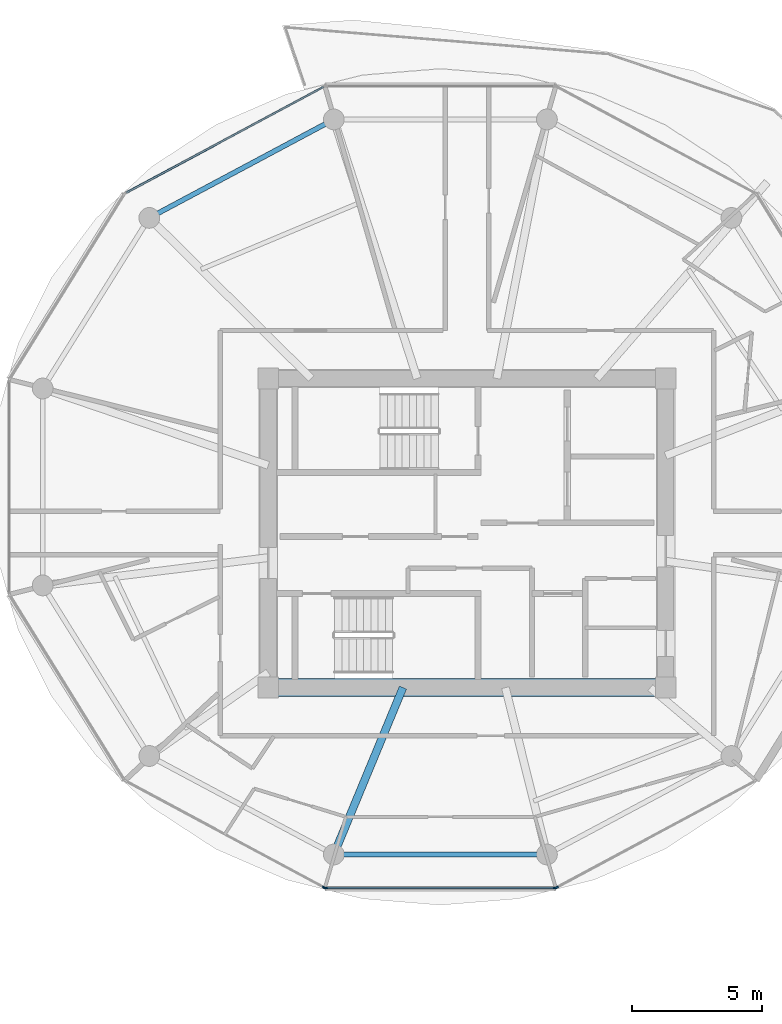
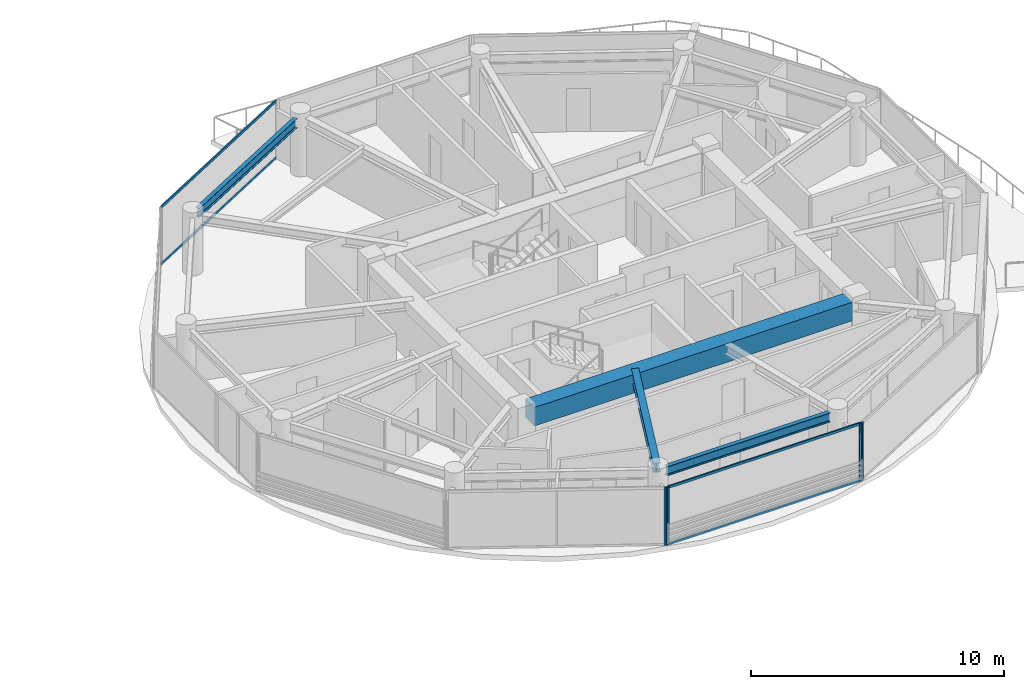
# One storey, part 8 of 22: 8 members, 4 beams, 4 elements without a shape of their own.
"""IFC4 building model written with IfcOpenShell, lengths in metres."""

from ifc_helpers import new_model, si_unit, direction, frame, origin, origin_2d, place, context, subcontext, project, spatial, rectangle, i_section, extrude, source, transform, mapped, material, layer, layer_set, material_profile, profile_set, type_object, type_shapes, element, aggregate, save


model = new_model("IFC4")

# Units and contexts
model_context = context("Model", 3, precision=1e-05, world=origin(), true_north=direction((0.0, 1.0)))
body_context = subcontext(model_context, "Body", "Model", "MODEL_VIEW")
ifc_project = project(units=[si_unit("LENGTHUNIT", "METRE"), si_unit("AREAUNIT", "SQUARE_METRE"), si_unit("VOLUMEUNIT", "CUBIC_METRE"), si_unit("PLANEANGLEUNIT", "RADIAN"), si_unit("MASSUNIT", "GRAM", prefix="KILO")], contexts=[model_context])

# Site, building, storey
site_placement = place(None, origin())
site = spatial("IfcSite", under=ifc_project, at=site_placement, CompositionType="ELEMENT")
building_placement = place(site_placement, origin())
building = spatial("IfcBuilding", under=site, at=building_placement, Name="Norrkilde Senior Care Towers", CompositionType="ELEMENT")
storey_placement = place(building_placement, frame((0.0, 0.0, 167.85009765625)))
storey = spatial("IfcBuildingStorey", under=building, at=storey_placement, Name="L52", CompositionType="ELEMENT", Elevation=167.85009765625)

# Beams
ifc_material_1 = material(Name="Concrete C60/75", Category="concrete")
ifc_material_profile_1 = material_profile(ifc_material_1, rectangle(XDim=0.699951171875, YDim=0.89990234375, at=origin_2d()), Name="RC BM 700x900")
ifc_profile_set_1 = profile_set([ifc_material_profile_1], Name="Concrete C60/75")
beam_type_1 = type_object("IfcBeamType", Name="Core Coupling Girder 700x900", PredefinedType="USERDEFINED", material=ifc_profile_set_1)
shared_shape_1 = source(origin(), body_context, "Body", "SweptSolid", [
    extrude(rectangle(XDim=0.699951171875, YDim=0.89990234375, at=origin_2d()), origin(), (0.0, 0.0, 1.0), 14.5400390625),
])
type_shapes(beam_type_1, [shared_shape_1])
beam_1_placement = place(storey_placement, frame((20.72998046875, -5.949951171875, 2.35986328125), z_axis=(1.0, 0.0, 0.0), x_axis=(0.0, 1.0, 0.0)))
element("IfcBeam", 1, at=beam_1_placement, inside=storey, type_object=beam_type_1, Name="L52 Core E S Coupling Girder", ObjectType="GIRDER", PredefinedType="USERDEFINED", context=body_context, shape_type="MappedRepresentation", body=[
    mapped(shared_shape_1, transform((0.0, 0.0, 0.0), x_axis=(1.0, 0.0, 0.0), y_axis=(0.0, 1.0, 0.0), z_axis=(0.0, 0.0, 1.0), scale=1.0)),
])
ifc_material_2 = material(Name="Steel S355", Category="steel")
ifc_material_profile_2 = material_profile(ifc_material_2, i_section(OverallWidth=0.18994140625, OverallDepth=0.449951171875, WebThickness=0.009521484375, FlangeThickness=0.0146484375, FilletRadius=0.02099609375, at=origin_2d()), Name="IPE 450")
ifc_profile_set_2 = profile_set([ifc_material_profile_2], Name="Steel S355")
beam_type_2 = type_object("IfcBeamType", Name="Perimeter Ring Spandrel Z3 IPE450", PredefinedType="SPANDREL", material=ifc_profile_set_2)
shared_shape_2 = source(origin(), body_context, "Body", "SweptSolid", [
    extrude(i_section(OverallWidth=0.18994140625, OverallDepth=0.449951171875, WebThickness=0.009521484375, FlangeThickness=0.0146484375, FilletRadius=0.02099609375, at=origin_2d()), origin(), (0.0, 0.0, 1.0), 7.333740234375),
])
beam_2_placement = place(storey_placement, frame((22.55517578125, 15.756591796875, 2.5849609375), z_axis=(-0.882247866069, -0.470785198172, 0.0), x_axis=(0.470785198172, -0.882247866069, 0.0)))
element("IfcBeam", 2, at=beam_2_placement, inside=storey, type_object=beam_type_2, Name="L52 Drum E Perimeter Spandrel 04", PredefinedType="SPANDREL", context=body_context, shape_type="MappedRepresentation", body=[
    mapped(shared_shape_2, transform((0.0, 0.0, 0.0), x_axis=(1.0, 0.0, 0.0), y_axis=(0.0, 1.0, 0.0), z_axis=(0.0, 0.0, 1.0), scale=1.0)),
])
shared_shape_3 = source(origin(), body_context, "Body", "SweptSolid", [
    extrude(i_section(OverallWidth=0.18994140625, OverallDepth=0.449951171875, WebThickness=0.009521484375, FlangeThickness=0.0146484375, FilletRadius=0.02099609375, at=origin_2d()), origin(), (0.0, 0.0, 1.0), 7.484619140625),
])
type_shapes(beam_type_2, [shared_shape_2, shared_shape_3])
beam_3_placement = place(storey_placement, frame((23.232666015625, -12.37548828125, 2.5849609375), z_axis=(1.0, 0.0, 0.0), x_axis=(0.0, 1.0, 0.0)))
element("IfcBeam", 3, at=beam_3_placement, inside=storey, type_object=beam_type_2, Name="L52 Drum E Perimeter Spandrel 09", PredefinedType="SPANDREL", context=body_context, shape_type="MappedRepresentation", body=[
    mapped(shared_shape_3, transform((0.0, 0.0, 0.0), x_axis=(1.0, 0.0, 0.0), y_axis=(0.0, 1.0, 0.0), z_axis=(0.0, 0.0, 1.0), scale=1.0)),
])
ifc_material_profile_3 = material_profile(ifc_material_2, i_section(OverallWidth=0.300048828125, OverallDepth=0.449951171875, WebThickness=0.013916015625, FlangeThickness=0.02587890625, FilletRadius=0.027099609375, at=origin_2d()), Name="HEB 450")
ifc_profile_set_3 = profile_set([ifc_material_profile_3], Name="Steel S355")
beam_type_3 = type_object("IfcBeamType", Name="Radial Floor Beam Z3 HEB450", PredefinedType="BEAM", material=ifc_profile_set_3)
shared_shape_4 = source(origin(), body_context, "Body", "SweptSolid", [
    extrude(i_section(OverallWidth=0.300048828125, OverallDepth=0.449951171875, WebThickness=0.013916015625, FlangeThickness=0.02587890625, FilletRadius=0.027099609375, at=origin_2d()), origin(), (0.0, 0.0, 1.0), 6.59521484375),
])
type_shapes(beam_type_3, [shared_shape_4])
beam_4_placement = place(storey_placement, frame((25.534912109375, -5.949951171875, 2.5849609375), z_axis=(-0.382761541363, -0.923847174836, 0.0), x_axis=(0.923847174836, -0.382761541363, 0.0)))
element("IfcBeam", 4, at=beam_4_placement, inside=storey, type_object=beam_type_3, Name="L52 Drum E Radial Floor Beam 09", PredefinedType="BEAM", context=body_context, shape_type="MappedRepresentation", body=[
    mapped(shared_shape_4, transform((0.0, 0.0, 0.0), x_axis=(1.0, 0.0, 0.0), y_axis=(0.0, 1.0, 0.0), z_axis=(0.0, 0.0, 1.0), scale=1.0)),
])

# Curtain wall, members
ifc_material_3 = material(Name="Triple Low-E Insulated Glazing", Category="glass")
ifc_layer = layer(ifc_material_3, 0.18994140625)
ifc_layer_set = layer_set([ifc_layer], Name="Triple Low-E Insulated Glazing")
curtain_wall_type = type_object("IfcCurtainWallType", Name="CW4 Zone 3 Senior Residence Curtain Wall", PredefinedType="NOTDEFINED", material=ifc_layer_set)
curtain_wall_1_placement = place(storey_placement, origin())
curtain_wall_1 = element("IfcCurtainWall", 5, at=curtain_wall_1_placement, inside=storey, type_object=curtain_wall_type, Name="L52 Drum E Curtain Wall 03", PredefinedType="NOTDEFINED")
ifc_material_4 = material(Name="Anodised Aluminium", Category="aluminium")
ifc_material_profile_4 = material_profile(ifc_material_4, rectangle(XDim=0.06005859375, YDim=0.1201171875, at=origin_2d()), Name="ALU TRAN 60x120")
ifc_profile_set_4 = profile_set([ifc_material_profile_4], Name="Anodised Aluminium")
member_type_1 = type_object("IfcMemberType", Name="Curtain Wall Transom Typical 60x120", PredefinedType="USERDEFINED", material=ifc_profile_set_4)
shared_shape_5 = source(origin(), body_context, "Body", "SweptSolid", [
    extrude(rectangle(XDim=0.06005859375, YDim=0.1201171875, at=origin_2d()), origin(), (0.0, 0.0, 1.0), 8.61181640625),
])
member_1_placement = place(storey_placement, frame((14.88427734375, 13.105712890625, 0.02978515625), z_axis=(0.880993991641, 0.473127452906, 0.0), x_axis=(-0.473127452906, 0.880993991641, 0.0)))
member_1 = element("IfcMember", 6, at=member_1_placement, type_object=member_type_1, Name="CW-4 transom 1.1", ObjectType="TRANSOM", PredefinedType="USERDEFINED", context=body_context, shape_type="MappedRepresentation", body=[
    mapped(shared_shape_5, transform((0.0, 0.0, 0.0), x_axis=(1.0, 0.0, 0.0), y_axis=(0.0, 1.0, 0.0), z_axis=(0.0, 0.0, 1.0), scale=1.0)),
])
member_2_placement = place(storey_placement, frame((14.88427734375, 13.105712890625, 2.77978515625), z_axis=(0.880993991641, 0.473127452906, 0.0), x_axis=(-0.473127452906, 0.880993991641, 0.0)))
member_2 = element("IfcMember", 7, at=member_2_placement, type_object=member_type_1, Name="CW-4 transom 1.2", ObjectType="TRANSOM", PredefinedType="USERDEFINED", context=body_context, shape_type="MappedRepresentation", body=[
    mapped(shared_shape_5, transform((0.0, 0.0, 0.0), x_axis=(1.0, 0.0, 0.0), y_axis=(0.0, 1.0, 0.0), z_axis=(0.0, 0.0, 1.0), scale=1.0)),
])
aggregate(curtain_wall_1, [member_1, member_2])

curtain_wall_2_placement = place(storey_placement, origin())
curtain_wall_2 = element("IfcCurtainWall", 8, at=curtain_wall_2_placement, inside=storey, type_object=curtain_wall_type, Name="L52 Drum E Curtain Wall 08", PredefinedType="NOTDEFINED")
shared_shape_6 = source(origin(), body_context, "Body", "SweptSolid", [
    extrude(rectangle(XDim=0.06005859375, YDim=0.1201171875, at=origin_2d()), origin(), (0.0, 0.0, 1.0), 8.762939453125),
])
type_shapes(member_type_1, [shared_shape_5, shared_shape_6])
member_3_placement = place(storey_placement, frame((31.3564453125, -13.66015625, 0.02978515625), z_axis=(-1.0, 0.0, 0.0), x_axis=(0.0, -1.0, 0.0)))
member_3 = element("IfcMember", 9, at=member_3_placement, type_object=member_type_1, Name="CW-4 transom 1.1", ObjectType="TRANSOM", PredefinedType="USERDEFINED", context=body_context, shape_type="MappedRepresentation", body=[
    mapped(shared_shape_6, transform((0.0, 0.0, 0.0), x_axis=(1.0, 0.0, 0.0), y_axis=(0.0, 1.0, 0.0), z_axis=(0.0, 0.0, 1.0), scale=1.0)),
])
member_4_placement = place(storey_placement, frame((31.3564453125, -13.66015625, 2.77978515625), z_axis=(-1.0, 0.0, 0.0), x_axis=(0.0, -1.0, 0.0)))
member_4 = element("IfcMember", 10, at=member_4_placement, type_object=member_type_1, Name="CW-4 transom 1.2", ObjectType="TRANSOM", PredefinedType="USERDEFINED", context=body_context, shape_type="MappedRepresentation", body=[
    mapped(shared_shape_6, transform((0.0, 0.0, 0.0), x_axis=(1.0, 0.0, 0.0), y_axis=(0.0, 1.0, 0.0), z_axis=(0.0, 0.0, 1.0), scale=1.0)),
])

# Curtain wall, member
curtain_wall_3_placement = place(storey_placement, origin())
curtain_wall_3 = element("IfcCurtainWall", 11, at=curtain_wall_3_placement, inside=storey, type_object=curtain_wall_type, Name="L52 Drum E Curtain Wall 07", PredefinedType="NOTDEFINED")
ifc_material_profile_5 = material_profile(ifc_material_4, rectangle(XDim=0.06494140625, YDim=0.14990234375, at=origin_2d()), Name="ALU MULL 65x150")
ifc_profile_set_5 = profile_set([ifc_material_profile_5], Name="Anodised Aluminium")
member_type_2 = type_object("IfcMemberType", Name="Curtain Wall Mullion Z3-Z4 65x150", PredefinedType="MULLION", material=ifc_profile_set_5)
shared_shape_7 = source(origin(), body_context, "Body", "SweptSolid", [
    extrude(rectangle(XDim=0.06494140625, YDim=0.14990234375, at=origin_2d()), origin(), (0.0, 0.0, 1.0), 2.809814453125),
])
type_shapes(member_type_2, [shared_shape_7])
member_5_placement = place(storey_placement, frame((22.499755859375, -13.644775390625, 0.0), z_axis=(0.0, 0.0, 1.0), x_axis=(-0.47311715104, -0.880999524059, 0.0)))
member_5 = element("IfcMember", 12, at=member_5_placement, type_object=member_type_2, Name="CW-4 mullion 1", PredefinedType="MULLION", context=body_context, shape_type="MappedRepresentation", body=[
    mapped(shared_shape_7, transform((0.0, 0.0, 0.0), x_axis=(1.0, 0.0, 0.0), y_axis=(0.0, 1.0, 0.0), z_axis=(0.0, 0.0, 1.0), scale=1.0)),
])
aggregate(curtain_wall_3, [member_5])

# Member
member_6_placement = place(storey_placement, frame((31.388916015625, -13.66015625, 0.0), z_axis=(0.0, 0.0, 1.0), x_axis=(0.0, -1.0, 0.0)))
member_6 = element("IfcMember", 13, at=member_6_placement, type_object=member_type_2, Name="CW-4 mullion 1", PredefinedType="MULLION", context=body_context, shape_type="MappedRepresentation", body=[
    mapped(shared_shape_7, transform((0.0, 0.0, 0.0), x_axis=(1.0, 0.0, 0.0), y_axis=(0.0, 1.0, 0.0), z_axis=(0.0, 0.0, 1.0), scale=1.0)),
])

member_7_placement = place(storey_placement, frame((22.56103515625, -13.66015625, 0.0), z_axis=(0.0, 0.0, 1.0), x_axis=(0.0, -1.0, 0.0)))
member_7 = element("IfcMember", 14, at=member_7_placement, type_object=member_type_2, Name="CW-4 mullion 2", PredefinedType="MULLION", context=body_context, shape_type="MappedRepresentation", body=[
    mapped(shared_shape_7, transform((0.0, 0.0, 0.0), x_axis=(1.0, 0.0, 0.0), y_axis=(0.0, 1.0, 0.0), z_axis=(0.0, 0.0, 1.0), scale=1.0)),
])

aggregate(curtain_wall_2, [member_6, member_7, member_3, member_4])

# Curtain wall, member
curtain_wall_4_placement = place(storey_placement, origin())
curtain_wall_4 = element("IfcCurtainWall", 15, at=curtain_wall_4_placement, inside=storey, type_object=curtain_wall_type, Name="L52 Drum E Curtain Wall 09", PredefinedType="NOTDEFINED")
member_8_placement = place(storey_placement, frame((31.4501953125, -13.644775390625, 0.0), z_axis=(0.0, 0.0, 1.0), x_axis=(0.47311715104, -0.880999524059, 0.0)))
member_8 = element("IfcMember", 16, at=member_8_placement, type_object=member_type_2, Name="CW-4 mullion 2", PredefinedType="MULLION", context=body_context, shape_type="MappedRepresentation", body=[
    mapped(shared_shape_7, transform((0.0, 0.0, 0.0), x_axis=(1.0, 0.0, 0.0), y_axis=(0.0, 1.0, 0.0), z_axis=(0.0, 0.0, 1.0), scale=1.0)),
])
aggregate(curtain_wall_4, [member_8])

save(model, "model.ifc")
